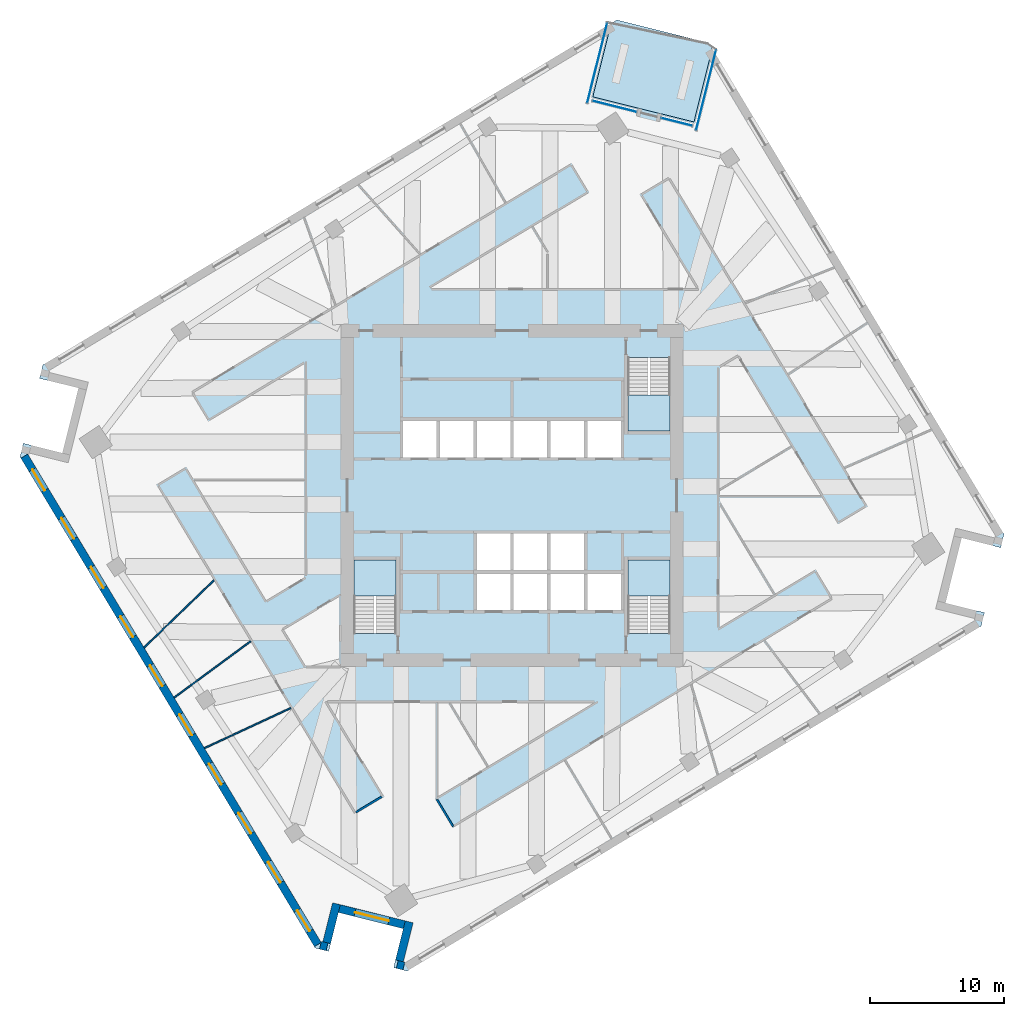
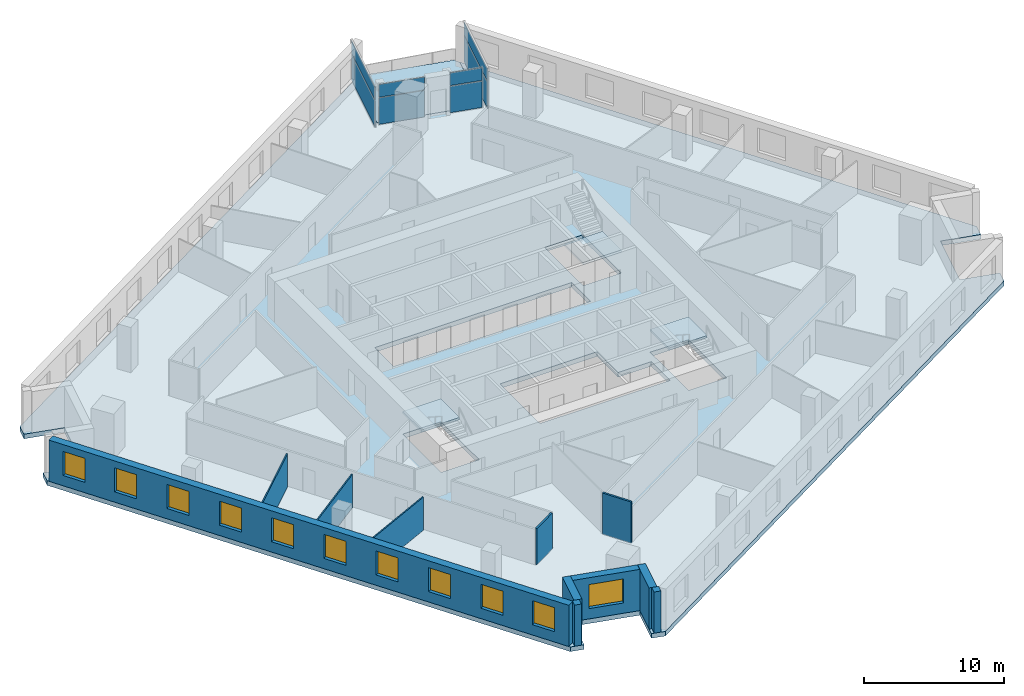
# One storey, part 5 of 14: 11 walls, 11 windows, 8 plates, 5 slabs, 11 openings, 7 elements without a shape of their own.
"""IFC4 building model written with IfcOpenShell, lengths in metres."""

import ifcopenshell
import ifcopenshell.guid

model = None  # the IFC model being written
_history = None  # IfcOwnerHistory: only IFC2X3 demands one
_inside = {}  # id of a spatial element -> (the spatial element, [elements in it])
_under = {}  # id of a project, library or spatial element -> (it, [spatial elements below it])
_declared = {}  # id of a project -> (the project, [libraries it declares])
_typed = {}  # id of a type object -> (the type object, [elements of that type])
_made_of = {}  # id of a material, layer set ... -> (it, [elements and type objects made of it])


def new_model(schema):
    """Start an empty IFC model of exactly this schema.

    Asked for "IFC4X3", IfcOpenShell would pick the latest addendum, in which some entities
    have other attributes; the version numbers below select the first issue.
    IFC2X3 requires an IfcOwnerHistory on every rooted entity: one is made here for all.
    """
    global model, _history
    if schema == "IFC4X3":
        model = ifcopenshell.file(schema_version=(4, 3, 0, 0))
    else:
        model = ifcopenshell.file(schema=schema)
    _inside.clear()
    _under.clear()
    _declared.clear()
    _typed.clear()
    _made_of.clear()
    _history = None
    if model.schema == "IFC2X3":
        org = make("IfcOrganization", Name="unknown")
        user = make(
            "IfcPersonAndOrganization",
            ThePerson=make("IfcPerson", FamilyName="unknown"),
            TheOrganization=org,
        )
        app = make(
            "IfcApplication",
            ApplicationDeveloper=org,
            Version="unknown",
            ApplicationFullName="unknown",
            ApplicationIdentifier="unknown",
        )
        _history = make(
            "IfcOwnerHistory",
            OwningUser=user,
            OwningApplication=app,
            ChangeAction="ADDED",
            CreationDate=0,
        )
    return model


def make(cls, **values):
    """One entity of the class cls with the attributes given. An attribute that is None is left unset."""
    return model.create_entity(
        cls, **{name: value for name, value in values.items() if value is not None}
    )


def rooted(cls, **values):
    """An entity with a GlobalId (a new one), such as an element, a storey or a relation."""
    return make(cls, GlobalId=ifcopenshell.guid.new(), OwnerHistory=_history, **values)


def si_unit(unit_type, name, prefix=None):
    """IfcSIUnit, for example si_unit("LENGTHUNIT", "METRE", prefix="MILLI")."""
    return make("IfcSIUnit", UnitType=unit_type, Prefix=prefix, Name=name)


def assignment(units):
    """IfcUnitAssignment: the units of a project."""
    return None if units is None else make("IfcUnitAssignment", Units=units)


def point(xyz):
    """IfcCartesianPoint."""
    return None if xyz is None else make("IfcCartesianPoint", Coordinates=xyz)


def direction(xyz):
    """IfcDirection."""
    return None if xyz is None else make("IfcDirection", DirectionRatios=xyz)


def frame(location, z_axis=None, x_axis=None):
    """IfcAxis2Placement3D, a coordinate frame: its origin and axes. An axis left out is left unset."""
    return make(
        "IfcAxis2Placement3D",
        Location=point(location),
        Axis=direction(z_axis),
        RefDirection=direction(x_axis),
    )


def frame_2d(location, x_axis=None):
    """IfcAxis2Placement2D, a coordinate frame in the plane: its origin and x axis."""
    return make(
        "IfcAxis2Placement2D", Location=point(location), RefDirection=direction(x_axis)
    )


def origin():
    """The frame at (0, 0, 0) with its axes left unset."""
    return frame((0.0, 0.0, 0.0))


def origin_2d():
    """The frame at (0, 0) in the plane with its x axis left unset."""
    return frame_2d((0.0, 0.0))


def place(relative_to, where):
    """IfcLocalPlacement: puts the frame where relative to a parent placement (None: the world)."""
    return make(
        "IfcLocalPlacement", PlacementRelTo=relative_to, RelativePlacement=where
    )


def context(
    kind, dimensions, precision=None, world=None, true_north=None, identifier=None
):
    """IfcGeometricRepresentationContext, for example the 3D "Model" context."""
    return make(
        "IfcGeometricRepresentationContext",
        ContextIdentifier=identifier,
        ContextType=kind,
        CoordinateSpaceDimension=dimensions,
        Precision=precision,
        WorldCoordinateSystem=world,
        TrueNorth=true_north,
    )


def subcontext(parent, identifier, kind, view, scale=None):
    """IfcGeometricRepresentationSubContext, for example "Body" below "Model"."""
    return make(
        "IfcGeometricRepresentationSubContext",
        ContextIdentifier=identifier,
        ContextType=kind,
        ParentContext=parent,
        TargetScale=scale,
        TargetView=view,
    )


def project(units=None, contexts=None):
    """IfcProject with its units and contexts."""
    return rooted(
        "IfcProject",
        Name="project",
        RepresentationContexts=contexts,
        UnitsInContext=assignment(units),
    )


def spatial(cls, under=None, at=None, **own):
    """A site, building, storey or space (cls), placed at a placement, below another one or the project."""
    s = rooted(cls, ObjectPlacement=at, **own)
    if under is not None:
        _under.setdefault(under.id(), (under, []))[1].append(s)
    return s


def polyline(points):
    """IfcPolyline through the points."""
    return make("IfcPolyline", Points=[point(p) for p in points])


def profile(cls, at=None, kind="AREA", **sizes):
    """A parametric profile (cls). Its sizes go by their IFC names, for example OverallWidth=200.0."""
    return make(cls, ProfileType=kind, Position=at, **sizes)


def rectangle(**sizes):
    """IfcRectangleProfileDef."""
    return profile("IfcRectangleProfileDef", **sizes)


def outline(outer, holes=None, kind="AREA"):
    """IfcArbitraryClosedProfileDef: a profile drawn as a closed curve; with holes, ...WithVoids."""
    if holes is None:
        return make("IfcArbitraryClosedProfileDef", ProfileType=kind, OuterCurve=outer)
    return make(
        "IfcArbitraryProfileDefWithVoids",
        ProfileType=kind,
        OuterCurve=outer,
        InnerCurves=holes,
    )


def extrude(swept, where, along, depth):
    """IfcExtrudedAreaSolid: the profile swept, set in the frame where, extruded along a direction by depth."""
    return make(
        "IfcExtrudedAreaSolid",
        SweptArea=swept,
        Position=where,
        ExtrudedDirection=direction(along),
        Depth=depth,
    )


def shape(context_of_items, identifier, shape_type, items):
    """IfcShapeRepresentation: the items that make up one representation, for example the "Body"."""
    return make(
        "IfcShapeRepresentation",
        ContextOfItems=context_of_items,
        RepresentationIdentifier=identifier,
        RepresentationType=shape_type,
        Items=items,
    )


def material(Name=None, Category=None):
    """IfcMaterial."""
    return make("IfcMaterial", Name=Name, Category=Category)


def layer(
    of_material, thickness, ventilated=None, Name=None, Category=None, Priority=None
):
    """IfcMaterialLayer: one layer of a wall or slab, of a material (None: an air gap)."""
    return make(
        "IfcMaterialLayer",
        Material=of_material,
        LayerThickness=thickness,
        IsVentilated=ventilated,
        Name=Name,
        Category=Category,
        Priority=Priority,
    )


def layer_set(layers, Name=None):
    """IfcMaterialLayerSet."""
    return make("IfcMaterialLayerSet", MaterialLayers=layers, LayerSetName=Name)


def made_of(thing, what):
    """Note that an element or type object is made of a material, layer set ...; save() writes the relation."""
    if what is not None:
        _made_of.setdefault(what.id(), (what, []))[1].append(thing)
    return thing


def type_object(cls, material=None, **own):
    """A type object (cls), such as IfcWallType, which elements share."""
    return made_of(rooted(cls, **own), material)


def element(
    cls,
    number,
    at=None,
    inside=None,
    cuts=None,
    type_object=None,
    material=None,
    context=None,
    identifier="Body",
    shape_type=None,
    held_by="IfcProductDefinitionShape",
    body=None,
    shapes=None,
    **own,
):
    """One element of the class cls, such as IfcWall. Its Tag is "e" and its number.

    at: its placement. inside: the storey or other place that contains it. cuts: it is an
    opening in that element (IfcRelVoidsElement). A single representation is given by context,
    identifier, shape_type and body (its items); several are given by shapes. held_by: the class
    of the entity that holds the representations. save() writes the other relations.
    """
    e = rooted(cls, Tag="e%d" % number, ObjectPlacement=at, **own)
    if body is not None:
        shapes = [shape(context, identifier, shape_type, body)]
    if shapes is not None:
        e.Representation = make(held_by, Representations=shapes)
    if inside is not None:
        _inside.setdefault(inside.id(), (inside, []))[1].append(e)
    if cuts is not None:
        rooted(
            "IfcRelVoidsElement", RelatingBuildingElement=cuts, RelatedOpeningElement=e
        )
    if type_object is not None:
        _typed.setdefault(type_object.id(), (type_object, []))[1].append(e)
    return made_of(e, material)


def fill(opening, filler):
    """IfcRelFillsElement: the door or window that sits in an opening."""
    return rooted(
        "IfcRelFillsElement",
        RelatingOpeningElement=opening,
        RelatedBuildingElement=filler,
    )


def aggregate(whole, parts):
    """IfcRelAggregates: a whole, such as a stair, and the parts it consists of."""
    return rooted("IfcRelAggregates", RelatingObject=whole, RelatedObjects=parts)


def save(model, path):
    """Write the relations noted so far, then the file.

    IfcRelAggregates (storeys below a building ...), IfcRelContainedInSpatialStructure (elements
    in a storey), IfcRelDefinesByType, IfcRelAssociatesMaterial and IfcRelDeclares: one each for
    every whole, place, type object, material and project.
    """
    for whole, parts in _under.values():
        aggregate(whole, parts)
    for where, things in _inside.values():
        rooted(
            "IfcRelContainedInSpatialStructure",
            RelatedElements=things,
            RelatingStructure=where,
        )
    for kind, things in _typed.values():
        rooted("IfcRelDefinesByType", RelatedObjects=things, RelatingType=kind)
    for what, things in _made_of.values():
        rooted("IfcRelAssociatesMaterial", RelatedObjects=things, RelatingMaterial=what)
    for by, libraries in _declared.values():
        rooted("IfcRelDeclares", RelatingContext=by, RelatedDefinitions=libraries)
    model.write(path)


model = new_model("IFC4")

# Units and contexts
model_context = context("Model", 3, precision=1e-05, world=origin(), true_north=direction((0.0, 1.0)))
body_context = subcontext(model_context, "Body", "Model", "MODEL_VIEW")
ifc_project = project(units=[si_unit("LENGTHUNIT", "METRE"), si_unit("AREAUNIT", "SQUARE_METRE"), si_unit("VOLUMEUNIT", "CUBIC_METRE"), si_unit("PLANEANGLEUNIT", "RADIAN"), si_unit("MASSUNIT", "GRAM", prefix="KILO")], contexts=[model_context])

# Site, building, storey
site_placement = place(None, origin())
site = spatial("IfcSite", under=ifc_project, at=site_placement, CompositionType="ELEMENT")
building_placement = place(site_placement, origin())
building = spatial("IfcBuilding", under=site, at=building_placement, Name="Dilmun Exchange Tower", CompositionType="ELEMENT")
storey_placement = place(building_placement, frame((0.0, 0.0, 151.699951171875)))
storey = spatial("IfcBuildingStorey", under=building, at=storey_placement, Name="L35", CompositionType="ELEMENT", Elevation=151.699951171875)

# Stair, slab
ifc_material_1 = material(Name="Concrete C40/50", Category="concrete")
stair_type = type_object("IfcStairType", Name="Exit stair 1500 half-turn", PredefinedType="HALF_TURN_STAIR", material=ifc_material_1)
stair_1_placement = place(storey_placement, origin())
stair_1 = element("IfcStair", 1, at=stair_1_placement, inside=storey, type_object=stair_type, Name="L35 Protected exit stair ST1", PredefinedType="HALF_TURN_STAIR")
ifc_layer_1 = layer(ifc_material_1, 0.199951171875)
ifc_layer_set_1 = layer_set([ifc_layer_1], Name="Concrete C40/50")
slab_type_1 = type_object("IfcSlabType", Name="Exit stair landing 200", PredefinedType="LANDING", material=ifc_layer_set_1)
slab_1_placement = place(storey_placement, frame((0.0, 0.0, 1.800048828125)))
slab_1 = element("IfcSlab", 2, at=slab_1_placement, type_object=slab_type_1, Name="ST1 landing 1", PredefinedType="LANDING", context=body_context, shape_type="SweptSolid", body=[
    extrude(outline(polyline([(8.64990234375, 7.5), (8.64990234375, 4.800048828125), (11.800048828125, 4.800048828125), (11.800048828125, 7.5), (8.64990234375, 7.5)])), origin(), (0.0, 0.0, 1.0), 0.199951171875),
])
aggregate(stair_1, [slab_1])

stair_2_placement = place(storey_placement, origin())
stair_2 = element("IfcStair", 3, at=stair_2_placement, inside=storey, type_object=stair_type, Name="L35 Protected exit stair ST2", PredefinedType="HALF_TURN_STAIR")
slab_2_placement = place(storey_placement, frame((0.0, 0.0, 1.800048828125)))
slab_2 = element("IfcSlab", 4, at=slab_2_placement, type_object=slab_type_1, Name="ST2 landing 1", PredefinedType="LANDING", context=body_context, shape_type="SweptSolid", body=[
    extrude(outline(polyline([(-8.64990234375, -7.5), (-8.64990234375, -4.800048828125), (-11.800048828125, -4.800048828125), (-11.800048828125, -7.5), (-8.64990234375, -7.5)])), origin(), (0.0, 0.0, 1.0), 0.199951171875),
])
aggregate(stair_2, [slab_2])

stair_3_placement = place(storey_placement, origin())
stair_3 = element("IfcStair", 5, at=stair_3_placement, inside=storey, type_object=stair_type, Name="L35 Protected exit stair ST3", PredefinedType="HALF_TURN_STAIR")
slab_3_placement = place(storey_placement, frame((0.0, 0.0, 1.800048828125)))
slab_3 = element("IfcSlab", 6, at=slab_3_placement, type_object=slab_type_1, Name="ST3 landing 1", PredefinedType="LANDING", context=body_context, shape_type="SweptSolid", body=[
    extrude(outline(polyline([(11.800048828125, -7.5), (11.800048828125, -4.800048828125), (8.64990234375, -4.800048828125), (8.64990234375, -7.5), (11.800048828125, -7.5)])), origin(), (0.0, 0.0, 1.0), 0.199951171875),
])
aggregate(stair_3, [slab_3])

# Curtain wall, plates
ifc_material_2 = material(Name="Anodised aluminium and clear glass", Category="aluminium")
curtain_wall_type = type_object("IfcCurtainWallType", Name="Garden corner glazing", PredefinedType="NOTDEFINED", material=ifc_material_2)
curtain_wall_1_placement = place(storey_placement, origin())
curtain_wall_1 = element("IfcCurtainWall", 7, at=curtain_wall_1_placement, inside=storey, type_object=curtain_wall_type, Name="Garden corner glazing run GC1.1", PredefinedType="NOTDEFINED")
ifc_material_3 = material(Name="Clear glass", Category="glass")
ifc_layer_2 = layer(ifc_material_3, 0.028076171875)
ifc_layer_set_2 = layer_set([ifc_layer_2], Name="Clear glass")
plate_type = type_object("IfcPlateType", Name="Garden corner glazing glass panel 28", PredefinedType="CURTAIN_PANEL", material=ifc_layer_set_2)
plate_1_placement = place(storey_placement, frame((14.486328125, 30.262939453125, 0.06005859375), z_axis=(0.0, 0.0, 1.0), x_axis=(-0.241914044119, -0.970297683836, 0.0)))
plate_1 = element("IfcPlate", 8, at=plate_1_placement, type_object=plate_type, Name="GC1.1 panel 1.1", PredefinedType="CURTAIN_PANEL", context=body_context, shape_type="SweptSolid", body=[
    extrude(rectangle(XDim=6.12646484375, YDim=0.028076171875, at=origin_2d()), origin(), (0.0, 0.0, 1.0), 2.31005859375),
])
plate_2_placement = place(storey_placement, frame((14.486328125, 30.262939453125, 2.43017578125), z_axis=(0.0, 0.0, 1.0), x_axis=(-0.241914044119, -0.970297683836, 0.0)))
plate_2 = element("IfcPlate", 9, at=plate_2_placement, type_object=plate_type, Name="GC1.1 panel 1.2", PredefinedType="CURTAIN_PANEL", context=body_context, shape_type="SweptSolid", body=[
    extrude(rectangle(XDim=6.12646484375, YDim=0.028076171875, at=origin_2d()), origin(), (0.0, 0.0, 1.0), 1.110107421875),
])
aggregate(curtain_wall_1, [plate_1, plate_2])

curtain_wall_2_placement = place(storey_placement, origin())
curtain_wall_2 = element("IfcCurtainWall", 10, at=curtain_wall_2_placement, inside=storey, type_object=curtain_wall_type, Name="Garden corner glazing run GC2.1", PredefinedType="NOTDEFINED")
plate_3_placement = place(storey_placement, frame((12.304443359375, 27.897216796875, 0.06005859375), z_axis=(0.0, 0.0, 1.0), x_axis=(-0.970291204971, 0.241940028841, 0.0)))
plate_3 = element("IfcPlate", 11, at=plate_3_placement, type_object=plate_type, Name="GC2.1 panel 1.1", PredefinedType="CURTAIN_PANEL", context=body_context, shape_type="SweptSolid", body=[
    extrude(rectangle(XDim=2.369140625, YDim=0.028076171875, at=origin_2d()), origin(), (0.0, 0.0, 1.0), 2.31005859375),
])
plate_4_placement = place(storey_placement, frame((12.304443359375, 27.897216796875, 2.43017578125), z_axis=(0.0, 0.0, 1.0), x_axis=(-0.970291204971, 0.241940028841, 0.0)))
plate_4 = element("IfcPlate", 12, at=plate_4_placement, type_object=plate_type, Name="GC2.1 panel 1.2", PredefinedType="CURTAIN_PANEL", context=body_context, shape_type="SweptSolid", body=[
    extrude(rectangle(XDim=2.369140625, YDim=0.028076171875, at=origin_2d()), origin(), (0.0, 0.0, 1.0), 1.110107421875),
])
aggregate(curtain_wall_2, [plate_3, plate_4])

curtain_wall_3_placement = place(storey_placement, origin())
curtain_wall_3 = element("IfcCurtainWall", 13, at=curtain_wall_3_placement, inside=storey, type_object=curtain_wall_type, Name="Garden corner glazing run GC2.3", PredefinedType="NOTDEFINED")
plate_5_placement = place(storey_placement, frame((7.65771484375, 29.055908203125, 0.06005859375), z_axis=(0.0, 0.0, 1.0), x_axis=(-0.970302450436, 0.24189492487, 0.0)))
plate_5 = element("IfcPlate", 14, at=plate_5_placement, type_object=plate_type, Name="GC2.3 panel 1.1", PredefinedType="CURTAIN_PANEL", context=body_context, shape_type="SweptSolid", body=[
    extrude(rectangle(XDim=3.369140625, YDim=0.028076171875, at=origin_2d()), origin(), (0.0, 0.0, 1.0), 2.31005859375),
])
plate_6_placement = place(storey_placement, frame((7.65771484375, 29.055908203125, 2.43017578125), z_axis=(0.0, 0.0, 1.0), x_axis=(-0.970302450436, 0.24189492487, 0.0)))
plate_6 = element("IfcPlate", 15, at=plate_6_placement, type_object=plate_type, Name="GC2.3 panel 1.2", PredefinedType="CURTAIN_PANEL", context=body_context, shape_type="SweptSolid", body=[
    extrude(rectangle(XDim=3.369140625, YDim=0.028076171875, at=origin_2d()), origin(), (0.0, 0.0, 1.0), 1.110107421875),
])
aggregate(curtain_wall_3, [plate_5, plate_6])

curtain_wall_4_placement = place(storey_placement, origin())
curtain_wall_4 = element("IfcCurtainWall", 16, at=curtain_wall_4_placement, inside=storey, type_object=curtain_wall_type, Name="Garden corner glazing run GC3.1", PredefinedType="NOTDEFINED")
plate_7_placement = place(storey_placement, frame((6.35693359375, 32.289794921875, 0.06005859375), z_axis=(0.0, 0.0, 1.0), x_axis=(0.241914044119, 0.970297683836, 0.0)))
plate_7 = element("IfcPlate", 17, at=plate_7_placement, type_object=plate_type, Name="GC3.1 panel 1.1", PredefinedType="CURTAIN_PANEL", context=body_context, shape_type="SweptSolid", body=[
    extrude(rectangle(XDim=6.12646484375, YDim=0.028076171875, at=origin_2d()), origin(), (0.0, 0.0, 1.0), 2.31005859375),
])
plate_8_placement = place(storey_placement, frame((6.35693359375, 32.289794921875, 2.43017578125), z_axis=(0.0, 0.0, 1.0), x_axis=(0.241914044119, 0.970297683836, 0.0)))
plate_8 = element("IfcPlate", 18, at=plate_8_placement, type_object=plate_type, Name="GC3.1 panel 1.2", PredefinedType="CURTAIN_PANEL", context=body_context, shape_type="SweptSolid", body=[
    extrude(rectangle(XDim=6.12646484375, YDim=0.028076171875, at=origin_2d()), origin(), (0.0, 0.0, 1.0), 1.110107421875),
])
aggregate(curtain_wall_4, [plate_7, plate_8])

# Slabs
ifc_layer_3 = layer(ifc_material_1, 0.39990234375)
ifc_layer_set_3 = layer_set([ifc_layer_3], Name="Concrete C40/50")
slab_type_2 = type_object("IfcSlabType", Name="RC floor slab 400", PredefinedType="FLOOR", material=ifc_layer_set_3)
slab_4_placement = place(storey_placement, frame((0.0, 0.0, -0.39990234375)))
element("IfcSlab", 19, at=slab_4_placement, inside=storey, type_object=slab_type_2, Name="Floor slab", PredefinedType="FLOOR", context=body_context, shape_type="SweptSolid", body=[
    extrude(outline(polyline([(36.486328125, -3.89697265625), (33.575439453125, -3.171142578125), (32.36572265625, -8.022705078125), (35.276611328125, -8.74853515625), (35.026123046875, -9.75341796875), (-7.832275390625, -35.505126953125), (-8.8369140625, -35.254638671875), (-8.111083984375, -32.34375), (-12.962646484375, -31.13427734375), (-13.6884765625, -34.044921875), (-14.693115234375, -33.79443359375), (-36.73681640625, 2.89208984375), (-36.486328125, 3.89697265625), (-33.575439453125, 3.171142578125), (-32.36572265625, 8.022705078125), (-35.276611328125, 8.74853515625), (-35.026123046875, 9.75341796875), (7.403564453125, 35.24755859375), (6.03759765625, 29.768798828125), (13.584716796875, 27.88720703125), (14.95068359375, 33.365966796875), (36.73681640625, -2.89208984375), (36.486328125, -3.89697265625)]), holes=[polyline([(-8.64990234375, -4.800048828125), (-11.800048828125, -4.800048828125), (-11.800048828125, -10.294921875), (-8.64990234375, -10.294921875), (-8.64990234375, -4.800048828125)]), polyline([(11.800048828125, -4.800048828125), (8.64990234375, -4.800048828125), (8.64990234375, -10.294921875), (11.800048828125, -10.294921875), (11.800048828125, -4.800048828125)]), polyline([(5.375, -2.85009765625), (-2.625, -2.85009765625), (-2.625, -8.550048828125), (8.125, -8.550048828125), (8.125, -5.85009765625), (5.375, -5.85009765625), (5.375, -2.85009765625)]), polyline([(8.125, 2.85009765625), (8.125, 5.550048828125), (-8.125, 5.550048828125), (-8.125, 2.85009765625), (8.125, 2.85009765625)]), polyline([(8.64990234375, 10.294921875), (8.64990234375, 4.800048828125), (11.800048828125, 4.800048828125), (11.800048828125, 10.294921875), (8.64990234375, 10.294921875)])]), origin(), (0.0, 0.0, 1.0), 0.39990234375),
])
ifc_layer_4 = layer(ifc_material_1, 0.300048828125)
ifc_layer_set_4 = layer_set([ifc_layer_4], Name="Concrete C40/50")
slab_type_3 = type_object("IfcSlabType", Name="RC garden terrace slab 300", PredefinedType="FLOOR", material=ifc_layer_set_4)
slab_5_placement = place(storey_placement, frame((0.0, 0.0, -0.300048828125)))
element("IfcSlab", 20, at=slab_5_placement, inside=storey, type_object=slab_type_3, Name="Garden terrace slab", PredefinedType="FLOOR", context=body_context, shape_type="SweptSolid", body=[
    extrude(outline(polyline([(6.03759765625, 29.768798828125), (7.403564453125, 35.24755859375), (7.832275390625, 35.505126953125), (14.693115234375, 33.79443359375), (14.95068359375, 33.365966796875), (13.584716796875, 27.88720703125), (6.03759765625, 29.768798828125)])), origin(), (0.0, 0.0, 1.0), 0.300048828125),
])

# Walls
ifc_material_4 = material(Name="Corridor wall 150")
ifc_layer_5 = layer(ifc_material_4, 0.14990234375)
ifc_layer_set_5 = layer_set([ifc_layer_5], Name="Corridor wall 150")
wall_type_1 = type_object("IfcWallType", Name="Corridor wall 150", PredefinedType="PARTITIONING", material=ifc_layer_set_5)
wall_1_placement = place(storey_placement, frame((-11.65771484375, -23.658447265625, 0.0), z_axis=(0.0, 0.0, 1.0), x_axis=(0.857128880098, 0.515102012131, 0.0)))
element("IfcWall", 21, at=wall_1_placement, inside=storey, type_object=wall_type_1, Name="Corridor wall", PredefinedType="PARTITIONING", context=body_context, shape_type="SweptSolid", body=[
    extrude(rectangle(XDim=2.25, YDim=0.14990234375, at=frame_2d((1.125, 0.0))), origin(), (0.0, 0.0, 1.0), 3.150146484375),
])
wall_2_placement = place(storey_placement, frame((-5.602294921875, -22.706298828125, 0.0), z_axis=(0.0, 0.0, 1.0), x_axis=(0.514835365114, -0.857289068417, 0.0)))
element("IfcWall", 22, at=wall_2_placement, inside=storey, type_object=wall_type_1, Name="Corridor wall", PredefinedType="PARTITIONING", context=body_context, shape_type="SweptSolid", body=[
    extrude(rectangle(XDim=2.325439453125, YDim=0.14990234375, at=frame_2d((1.16259765625, 0.0))), origin(), (0.0, 0.0, 1.0), 3.60009765625),
])
ifc_material_5 = material(Name="Partition 100")
ifc_layer_6 = layer(ifc_material_5, 0.10009765625)
ifc_layer_set_6 = layer_set([ifc_layer_6], Name="Partition 100")
wall_type_2 = type_object("IfcWallType", Name="Partition 100", PredefinedType="PARTITIONING", material=ifc_layer_set_6)
wall_3_placement = place(storey_placement, frame((-27.472900390625, -11.356689453125, 0.0), z_axis=(0.0, 0.0, 1.0), x_axis=(0.720430003107, 0.693527656711, 0.0)))
element("IfcWall", 23, at=wall_3_placement, inside=storey, type_object=wall_type_2, Name="Partition", PredefinedType="PARTITIONING", context=body_context, shape_type="SweptSolid", body=[
    extrude(rectangle(XDim=7.241943359375, YDim=0.10009765625, at=frame_2d((3.62109375, 0.0))), origin(), (0.0, 0.0, 1.0), 2.900146484375),
])
wall_4_placement = place(storey_placement, frame((-25.2275390625, -15.093505859375, 0.0), z_axis=(0.0, 0.0, 1.0), x_axis=(0.805036814034, 0.593224854545, 0.0)))
element("IfcWall", 24, at=wall_4_placement, inside=storey, type_object=wall_type_2, Name="Partition", PredefinedType="PARTITIONING", context=body_context, shape_type="SweptSolid", body=[
    extrude(rectangle(XDim=7.0966796875, YDim=0.10009765625, at=frame_2d((3.54833984375, 0.0))), origin(), (0.0, 0.0, 1.0), 2.900146484375),
])
wall_5_placement = place(storey_placement, frame((-22.962158203125, -18.864013671875, 0.0), z_axis=(0.0, 0.0, 1.0), x_axis=(0.906871101806, 0.421408121313, 0.0)))
element("IfcWall", 25, at=wall_5_placement, inside=storey, type_object=wall_type_2, Name="Partition", PredefinedType="PARTITIONING", context=body_context, shape_type="SweptSolid", body=[
    extrude(rectangle(XDim=7.1044921875, YDim=0.10009765625, at=frame_2d((3.55224609375, 0.0))), origin(), (0.0, 0.0, 1.0), 2.900146484375),
])

# Wall, openings, windows
ifc_material_6 = material(Name="Precast concrete C50/60", Category="concrete")
ifc_layer_7 = layer(ifc_material_6, 0.60009765625)
ifc_layer_set_7 = layer_set([ifc_layer_7], Name="Precast concrete C50/60")
wall_type_3 = type_object("IfcWallType", Name="Precast stone-clad wall 600", PredefinedType="STANDARD", material=ifc_layer_set_7)
wall_6_placement = place(storey_placement, frame((-36.415771484375, 2.940185546875, 0.0), z_axis=(0.0, 0.0, 1.0), x_axis=(0.515041561016, -0.857165206029, 0.0)))
wall_6 = element("IfcWall", 26, at=wall_6_placement, inside=storey, type_object=wall_type_3, Name="Facade wall L35-09", PredefinedType="STANDARD", context=body_context, shape_type="SweptSolid", body=[
    extrude(rectangle(XDim=42.551513671875, YDim=0.60009765625, at=frame_2d((21.27587890625, 0.0))), origin(), (0.0, 0.0, 1.0), 3.60009765625),
])
opening_1_placement = place(wall_6_placement, frame((1.177978515625, 0.0, 0.89990234375)))
opening_1 = element("IfcOpeningElement", 27, at=opening_1_placement, cuts=wall_6, Name="Opening W180-210", PredefinedType="OPENING", context=body_context, shape_type="SweptSolid", body=[
    extrude(rectangle(XDim=1.800048828125, YDim=2.10009765625, at=frame_2d((0.89990234375, 1.050048828125))), frame((0.0, 0.31005859375, 0.0), z_axis=(0.0, -1.0, 0.0), x_axis=(1.0, 0.0, 0.0)), (0.0, 0.0, 1.0), 0.6201171875),
])
opening_2_placement = place(wall_6_placement, frame((5.395751953125, 0.0, 0.89990234375)))
opening_2 = element("IfcOpeningElement", 28, at=opening_2_placement, cuts=wall_6, Name="Opening W180-210", PredefinedType="OPENING", context=body_context, shape_type="SweptSolid", body=[
    extrude(rectangle(XDim=1.800048828125, YDim=2.10009765625, at=frame_2d((0.89990234375, 1.050048828125))), frame((0.0, 0.31005859375, 0.0), z_axis=(0.0, -1.0, 0.0), x_axis=(1.0, 0.0, 0.0)), (0.0, 0.0, 1.0), 0.6201171875),
])
opening_3_placement = place(wall_6_placement, frame((9.67578125, 0.0, 0.89990234375)))
opening_3 = element("IfcOpeningElement", 29, at=opening_3_placement, cuts=wall_6, Name="Opening W180-210", PredefinedType="OPENING", context=body_context, shape_type="SweptSolid", body=[
    extrude(rectangle(XDim=1.800048828125, YDim=2.10009765625, at=frame_2d((0.89990234375, 1.050048828125))), frame((0.0, 0.31005859375, 0.0), z_axis=(0.0, -1.0, 0.0), x_axis=(1.0, 0.0, 0.0)), (0.0, 0.0, 1.0), 0.6201171875),
])
opening_4_placement = place(wall_6_placement, frame((13.955810546875, 0.0, 0.89990234375)))
opening_4 = element("IfcOpeningElement", 30, at=opening_4_placement, cuts=wall_6, Name="Opening W180-210", PredefinedType="OPENING", context=body_context, shape_type="SweptSolid", body=[
    extrude(rectangle(XDim=1.800048828125, YDim=2.10009765625, at=frame_2d((0.89990234375, 1.050048828125))), frame((0.0, 0.31005859375, 0.0), z_axis=(0.0, -1.0, 0.0), x_axis=(1.0, 0.0, 0.0)), (0.0, 0.0, 1.0), 0.6201171875),
])
opening_5_placement = place(wall_6_placement, frame((18.235595703125, 0.0, 0.89990234375)))
opening_5 = element("IfcOpeningElement", 31, at=opening_5_placement, cuts=wall_6, Name="Opening W180-210", PredefinedType="OPENING", context=body_context, shape_type="SweptSolid", body=[
    extrude(rectangle(XDim=1.800048828125, YDim=2.10009765625, at=frame_2d((0.89990234375, 1.050048828125))), frame((0.0, 0.31005859375, 0.0), z_axis=(0.0, -1.0, 0.0), x_axis=(1.0, 0.0, 0.0)), (0.0, 0.0, 1.0), 0.6201171875),
])
opening_6_placement = place(wall_6_placement, frame((22.515625, 0.0, 0.89990234375)))
opening_6 = element("IfcOpeningElement", 32, at=opening_6_placement, cuts=wall_6, Name="Opening W180-210", PredefinedType="OPENING", context=body_context, shape_type="SweptSolid", body=[
    extrude(rectangle(XDim=1.800048828125, YDim=2.10009765625, at=frame_2d((0.89990234375, 1.050048828125))), frame((0.0, 0.31005859375, 0.0), z_axis=(0.0, -1.0, 0.0), x_axis=(1.0, 0.0, 0.0)), (0.0, 0.0, 1.0), 0.6201171875),
])
opening_7_placement = place(wall_6_placement, frame((26.795654296875, 0.0, 0.89990234375)))
opening_7 = element("IfcOpeningElement", 33, at=opening_7_placement, cuts=wall_6, Name="Opening W180-210", PredefinedType="OPENING", context=body_context, shape_type="SweptSolid", body=[
    extrude(rectangle(XDim=1.800048828125, YDim=2.10009765625, at=frame_2d((0.89990234375, 1.050048828125))), frame((0.0, 0.31005859375, 0.0), z_axis=(0.0, -1.0, 0.0), x_axis=(1.0, 0.0, 0.0)), (0.0, 0.0, 1.0), 0.6201171875),
])
opening_8_placement = place(wall_6_placement, frame((31.07568359375, 0.0, 0.89990234375)))
opening_8 = element("IfcOpeningElement", 34, at=opening_8_placement, cuts=wall_6, Name="Opening W180-210", PredefinedType="OPENING", context=body_context, shape_type="SweptSolid", body=[
    extrude(rectangle(XDim=1.800048828125, YDim=2.10009765625, at=frame_2d((0.89990234375, 1.050048828125))), frame((0.0, 0.31005859375, 0.0), z_axis=(0.0, -1.0, 0.0), x_axis=(1.0, 0.0, 0.0)), (0.0, 0.0, 1.0), 0.6201171875),
])
opening_9_placement = place(wall_6_placement, frame((35.355712890625, 0.0, 0.89990234375)))
opening_9 = element("IfcOpeningElement", 35, at=opening_9_placement, cuts=wall_6, Name="Opening W180-210", PredefinedType="OPENING", context=body_context, shape_type="SweptSolid", body=[
    extrude(rectangle(XDim=1.800048828125, YDim=2.10009765625, at=frame_2d((0.89990234375, 1.050048828125))), frame((0.0, 0.31005859375, 0.0), z_axis=(0.0, -1.0, 0.0), x_axis=(1.0, 0.0, 0.0)), (0.0, 0.0, 1.0), 0.6201171875),
])
opening_10_placement = place(wall_6_placement, frame((39.573486328125, 0.0, 0.89990234375)))
opening_10 = element("IfcOpeningElement", 36, at=opening_10_placement, cuts=wall_6, Name="Opening W180-210", PredefinedType="OPENING", context=body_context, shape_type="SweptSolid", body=[
    extrude(rectangle(XDim=1.800048828125, YDim=2.10009765625, at=frame_2d((0.89990234375, 1.050048828125))), frame((0.0, 0.31005859375, 0.0), z_axis=(0.0, -1.0, 0.0), x_axis=(1.0, 0.0, 0.0)), (0.0, 0.0, 1.0), 0.6201171875),
])
ifc_material_7 = material(Name="Clear low-emissivity glass in aluminium frame", Category="aluminium")
window_type_1 = type_object("IfcWindowType", Name="Punched window 1800 x 2100", PartitioningType="DOUBLE_PANEL_VERTICAL", PredefinedType="WINDOW", material=ifc_material_7)
window_1_placement = place(opening_1_placement, origin())
window_1 = element("IfcWindow", 37, at=window_1_placement, inside=storey, type_object=window_type_1, Name="Window 10.1", OverallHeight=2.10009765625, OverallWidth=1.800048828125, PartitioningType="SINGLE_PANEL", PredefinedType="WINDOW", context=body_context, shape_type="SweptSolid", body=[
    extrude(rectangle(XDim=1.800048828125, YDim=2.10009765625, at=frame_2d((0.89990234375, 1.050048828125))), frame((0.0, 0.030029296875, 0.0), z_axis=(0.0, -1.0, 0.0), x_axis=(1.0, 0.0, 0.0)), (0.0, 0.0, 1.0), 0.06005859375),
])
fill(opening_1, window_1)
window_2_placement = place(opening_2_placement, origin())
window_2 = element("IfcWindow", 38, at=window_2_placement, inside=storey, type_object=window_type_1, Name="Window 10.2", OverallHeight=2.10009765625, OverallWidth=1.800048828125, PartitioningType="SINGLE_PANEL", PredefinedType="WINDOW", context=body_context, shape_type="SweptSolid", body=[
    extrude(rectangle(XDim=1.800048828125, YDim=2.10009765625, at=frame_2d((0.89990234375, 1.050048828125))), frame((0.0, 0.030029296875, 0.0), z_axis=(0.0, -1.0, 0.0), x_axis=(1.0, 0.0, 0.0)), (0.0, 0.0, 1.0), 0.06005859375),
])
fill(opening_2, window_2)
window_3_placement = place(opening_3_placement, origin())
window_3 = element("IfcWindow", 39, at=window_3_placement, inside=storey, type_object=window_type_1, Name="Window 10.3", OverallHeight=2.10009765625, OverallWidth=1.800048828125, PartitioningType="SINGLE_PANEL", PredefinedType="WINDOW", context=body_context, shape_type="SweptSolid", body=[
    extrude(rectangle(XDim=1.800048828125, YDim=2.10009765625, at=frame_2d((0.89990234375, 1.050048828125))), frame((0.0, 0.030029296875, 0.0), z_axis=(0.0, -1.0, 0.0), x_axis=(1.0, 0.0, 0.0)), (0.0, 0.0, 1.0), 0.06005859375),
])
fill(opening_3, window_3)
window_4_placement = place(opening_4_placement, origin())
window_4 = element("IfcWindow", 40, at=window_4_placement, inside=storey, type_object=window_type_1, Name="Window 10.4", OverallHeight=2.10009765625, OverallWidth=1.800048828125, PartitioningType="SINGLE_PANEL", PredefinedType="WINDOW", context=body_context, shape_type="SweptSolid", body=[
    extrude(rectangle(XDim=1.800048828125, YDim=2.10009765625, at=frame_2d((0.89990234375, 1.050048828125))), frame((0.0, 0.030029296875, 0.0), z_axis=(0.0, -1.0, 0.0), x_axis=(1.0, 0.0, 0.0)), (0.0, 0.0, 1.0), 0.06005859375),
])
fill(opening_4, window_4)
window_5_placement = place(opening_5_placement, origin())
window_5 = element("IfcWindow", 41, at=window_5_placement, inside=storey, type_object=window_type_1, Name="Window 10.5", OverallHeight=2.10009765625, OverallWidth=1.800048828125, PartitioningType="SINGLE_PANEL", PredefinedType="WINDOW", context=body_context, shape_type="SweptSolid", body=[
    extrude(rectangle(XDim=1.800048828125, YDim=2.10009765625, at=frame_2d((0.89990234375, 1.050048828125))), frame((0.0, 0.030029296875, 0.0), z_axis=(0.0, -1.0, 0.0), x_axis=(1.0, 0.0, 0.0)), (0.0, 0.0, 1.0), 0.06005859375),
])
fill(opening_5, window_5)
window_6_placement = place(opening_6_placement, origin())
window_6 = element("IfcWindow", 42, at=window_6_placement, inside=storey, type_object=window_type_1, Name="Window 10.6", OverallHeight=2.10009765625, OverallWidth=1.800048828125, PartitioningType="SINGLE_PANEL", PredefinedType="WINDOW", context=body_context, shape_type="SweptSolid", body=[
    extrude(rectangle(XDim=1.800048828125, YDim=2.10009765625, at=frame_2d((0.89990234375, 1.050048828125))), frame((0.0, 0.030029296875, 0.0), z_axis=(0.0, -1.0, 0.0), x_axis=(1.0, 0.0, 0.0)), (0.0, 0.0, 1.0), 0.06005859375),
])
fill(opening_6, window_6)
window_7_placement = place(opening_7_placement, origin())
window_7 = element("IfcWindow", 43, at=window_7_placement, inside=storey, type_object=window_type_1, Name="Window 10.7", OverallHeight=2.10009765625, OverallWidth=1.800048828125, PartitioningType="SINGLE_PANEL", PredefinedType="WINDOW", context=body_context, shape_type="SweptSolid", body=[
    extrude(rectangle(XDim=1.800048828125, YDim=2.10009765625, at=frame_2d((0.89990234375, 1.050048828125))), frame((0.0, 0.030029296875, 0.0), z_axis=(0.0, -1.0, 0.0), x_axis=(1.0, 0.0, 0.0)), (0.0, 0.0, 1.0), 0.06005859375),
])
fill(opening_7, window_7)
window_8_placement = place(opening_8_placement, origin())
window_8 = element("IfcWindow", 44, at=window_8_placement, inside=storey, type_object=window_type_1, Name="Window 10.8", OverallHeight=2.10009765625, OverallWidth=1.800048828125, PartitioningType="SINGLE_PANEL", PredefinedType="WINDOW", context=body_context, shape_type="SweptSolid", body=[
    extrude(rectangle(XDim=1.800048828125, YDim=2.10009765625, at=frame_2d((0.89990234375, 1.050048828125))), frame((0.0, 0.030029296875, 0.0), z_axis=(0.0, -1.0, 0.0), x_axis=(1.0, 0.0, 0.0)), (0.0, 0.0, 1.0), 0.06005859375),
])
fill(opening_8, window_8)
window_9_placement = place(opening_9_placement, origin())
window_9 = element("IfcWindow", 45, at=window_9_placement, inside=storey, type_object=window_type_1, Name="Window 10.9", OverallHeight=2.10009765625, OverallWidth=1.800048828125, PartitioningType="SINGLE_PANEL", PredefinedType="WINDOW", context=body_context, shape_type="SweptSolid", body=[
    extrude(rectangle(XDim=1.800048828125, YDim=2.10009765625, at=frame_2d((0.89990234375, 1.050048828125))), frame((0.0, 0.030029296875, 0.0), z_axis=(0.0, -1.0, 0.0), x_axis=(1.0, 0.0, 0.0)), (0.0, 0.0, 1.0), 0.06005859375),
])
fill(opening_9, window_9)
window_10_placement = place(opening_10_placement, origin())
window_10 = element("IfcWindow", 46, at=window_10_placement, inside=storey, type_object=window_type_1, Name="Window 10.10", OverallHeight=2.10009765625, OverallWidth=1.800048828125, PartitioningType="SINGLE_PANEL", PredefinedType="WINDOW", context=body_context, shape_type="SweptSolid", body=[
    extrude(rectangle(XDim=1.800048828125, YDim=2.10009765625, at=frame_2d((0.89990234375, 1.050048828125))), frame((0.0, 0.030029296875, 0.0), z_axis=(0.0, -1.0, 0.0), x_axis=(1.0, 0.0, 0.0)), (0.0, 0.0, 1.0), 0.06005859375),
])
fill(opening_10, window_10)

# Walls
wall_7_placement = place(storey_placement, frame((-14.305908203125, -33.581787109375, 0.0), z_axis=(0.0, 0.0, 1.0), x_axis=(0.970254746074, -0.242086198947, 0.0)))
element("IfcWall", 47, at=wall_7_placement, inside=storey, type_object=wall_type_3, Name="Facade wall L35-10", PredefinedType="STANDARD", context=body_context, shape_type="SweptSolid", body=[
    extrude(rectangle(XDim=0.51123046875, YDim=0.60009765625, at=frame_2d((0.255615234375, 0.0))), origin(), (0.0, 0.0, 1.0), 3.60009765625),
])
wall_8_placement = place(storey_placement, frame((-13.83447265625, -33.390380859375, 0.0), z_axis=(0.0, 0.0, 1.0), x_axis=(0.241941986192, 0.970290716908, 0.0)))
element("IfcWall", 48, at=wall_8_placement, inside=storey, type_object=wall_type_3, Name="Facade wall L35-11", PredefinedType="STANDARD", context=body_context, shape_type="SweptSolid", body=[
    extrude(rectangle(XDim=3.0, YDim=0.60009765625, at=frame_2d((1.5, 0.0))), origin(), (0.0, 0.0, 1.0), 3.60009765625),
])

# Wall, opening, window
wall_9_placement = place(storey_placement, frame((-12.89013671875, -30.843017578125, 0.0), z_axis=(0.0, 0.0, 1.0), x_axis=(0.970291669613, -0.241938165405, 0.0)))
wall_9 = element("IfcWall", 49, at=wall_9_placement, inside=storey, type_object=wall_type_3, Name="Facade wall L35-12", PredefinedType="STANDARD", context=body_context, shape_type="SweptSolid", body=[
    extrude(rectangle(XDim=5.0, YDim=0.60009765625, at=frame_2d((2.5, 0.0))), origin(), (0.0, 0.0, 1.0), 3.60009765625),
])
opening_11_placement = place(wall_9_placement, frame((1.199951171875, 0.0, 0.89990234375)))
opening_11 = element("IfcOpeningElement", 50, at=opening_11_placement, cuts=wall_9, Name="Opening W260-210", PredefinedType="OPENING", context=body_context, shape_type="SweptSolid", body=[
    extrude(rectangle(XDim=2.60009765625, YDim=2.10009765625, at=frame_2d((1.300048828125, 1.050048828125))), frame((0.0, 0.31005859375, 0.0), z_axis=(0.0, -1.0, 0.0), x_axis=(1.0, 0.0, 0.0)), (0.0, 0.0, 1.0), 0.6201171875),
])
window_type_2 = type_object("IfcWindowType", Name="Punched window 2600 x 2100", PartitioningType="DOUBLE_PANEL_VERTICAL", PredefinedType="WINDOW", material=ifc_material_7)
window_11_placement = place(opening_11_placement, origin())
window_11 = element("IfcWindow", 51, at=window_11_placement, inside=storey, type_object=window_type_2, Name="Window 13.1", OverallHeight=2.10009765625, OverallWidth=2.60009765625, PartitioningType="SINGLE_PANEL", PredefinedType="WINDOW", context=body_context, shape_type="SweptSolid", body=[
    extrude(rectangle(XDim=2.60009765625, YDim=2.10009765625, at=frame_2d((1.300048828125, 1.050048828125))), frame((0.0, 0.030029296875, 0.0), z_axis=(0.0, -1.0, 0.0), x_axis=(1.0, 0.0, 0.0)), (0.0, 0.0, 1.0), 0.06005859375),
])
fill(opening_11, window_11)

# Walls
wall_10_placement = place(storey_placement, frame((-7.6748046875, -31.834228515625, 0.0), z_axis=(0.0, 0.0, 1.0), x_axis=(-0.241941986192, -0.970290716908, 0.0)))
element("IfcWall", 52, at=wall_10_placement, inside=storey, type_object=wall_type_3, Name="Facade wall L35-13", PredefinedType="STANDARD", context=body_context, shape_type="SweptSolid", body=[
    extrude(rectangle(XDim=3.0, YDim=0.60009765625, at=frame_2d((1.5, 0.0))), origin(), (0.0, 0.0, 1.0), 3.60009765625),
])
wall_11_placement = place(storey_placement, frame((-8.5703125, -35.011962890625, 0.0), z_axis=(0.0, 0.0, 1.0), x_axis=(0.970366809683, -0.241636616978, 0.0)))
element("IfcWall", 53, at=wall_11_placement, inside=storey, type_object=wall_type_3, Name="Facade wall L35-14", PredefinedType="STANDARD", context=body_context, shape_type="SweptSolid", body=[
    extrude(rectangle(XDim=0.51123046875, YDim=0.60009765625, at=frame_2d((0.255615234375, 0.0))), origin(), (0.0, 0.0, 1.0), 3.60009765625),
])

save(model, "model.ifc")
